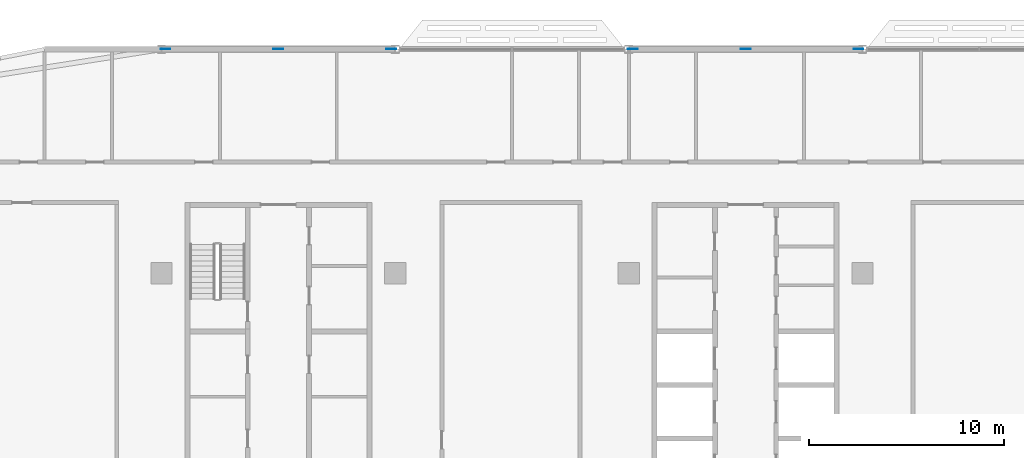
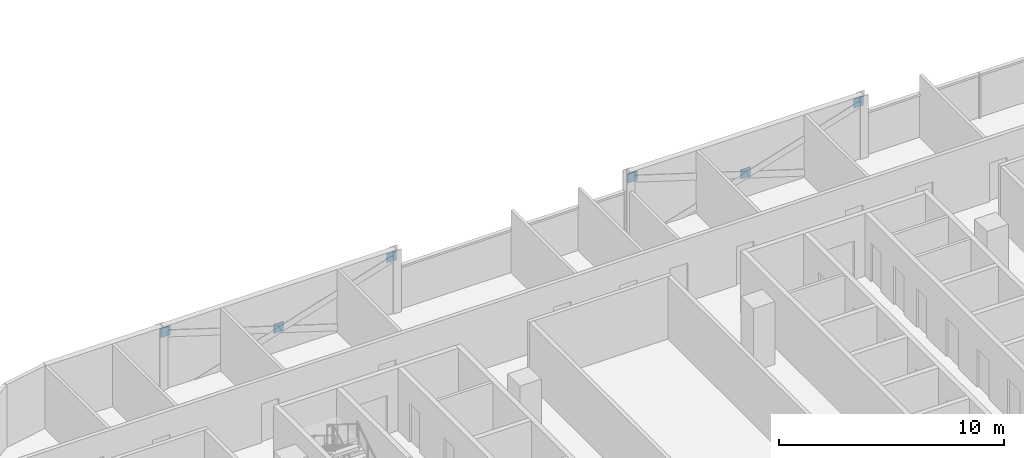
# One storey, part 22 of 30: 6 discrete accessories.
"""IFC4 building model written with IfcOpenShell, lengths in metres."""

from ifc_helpers import new_model, si_unit, direction, frame, origin, origin_2d, place, context, subcontext, project, spatial, rectangle, extrude, material, layer, layer_set, type_object, element, save


model = new_model("IFC4")

# Units and contexts
model_context = context("Model", 3, precision=1e-05, world=origin(), true_north=direction((0.0, 1.0)))
body_context = subcontext(model_context, "Body", "Model", "MODEL_VIEW")
ifc_project = project(units=[si_unit("LENGTHUNIT", "METRE"), si_unit("AREAUNIT", "SQUARE_METRE"), si_unit("VOLUMEUNIT", "CUBIC_METRE"), si_unit("PLANEANGLEUNIT", "RADIAN"), si_unit("MASSUNIT", "GRAM", prefix="KILO")], contexts=[model_context])

# Site, building, storey
site_placement = place(None, origin())
site = spatial("IfcSite", under=ifc_project, at=site_placement, CompositionType="ELEMENT")
building_placement = place(site_placement, origin())
building = spatial("IfcBuilding", under=site, at=building_placement, Name="Mahtab Terrace Research Tower", CompositionType="ELEMENT")
storey_placement = place(building_placement, frame((0.0, 0.0, 220.5)))
storey = spatial("IfcBuildingStorey", under=building, at=storey_placement, Name="L53", CompositionType="ELEMENT", Elevation=220.5)

# Discrete accessories
ifc_material = material(Name="Steel ASTM A992 Gr 50", Category="steel")
ifc_layer = layer(ifc_material, 0.030029296875)
ifc_layer_set = layer_set([ifc_layer], Name="Gusset plate 500x500x30")
discrete_accessory_type = type_object("IfcDiscreteAccessoryType", Name="Gusset plate 500x500x30", PredefinedType="USERDEFINED", material=ifc_layer_set)
for number, where, z_axis, x_axis, name in (
    (1, (-29.79931640625, 23.0, 2.748291015625), (0.0, 0.0, 1.0), (1.0, 0.0, 0.0), "Gusset plate"),
    (2, (-24.0, 23.0, 0.94091796875), (0.0, 0.0, 1.0), (1.0, 0.0, 0.0), "Gusset plate"),
    (3, (-18.20068359375, 23.0, 2.748291015625), (0.0, 0.0, 1.0), (1.0, 0.0, 0.0), "Gusset plate"),
    (4, (-5.79931640625, 23.0, 2.748291015625), (0.0, 0.0, 1.0), (1.0, 0.0, 0.0), "Gusset plate"),
    (5, (0.0, 23.0, 0.94091796875), (0.0, 0.0, 1.0), (1.0, 0.0, 0.0), "Gusset plate"),
    (6, (5.79931640625, 23.0, 2.748291015625), (0.0, 0.0, 1.0), (1.0, 0.0, 0.0), "Gusset plate"),
):
    element("IfcDiscreteAccessory", number, at=place(storey_placement, frame(where, z_axis=z_axis, x_axis=x_axis)), inside=storey, type_object=discrete_accessory_type, Name=name, ObjectType="GUSSET PLATE", PredefinedType="USERDEFINED", context=body_context, shape_type="SweptSolid", body=[
        extrude(rectangle(XDim=0.5, YDim=0.030029296875, at=origin_2d()), origin(), (0.0, 0.0, 1.0), 0.5),
    ])

save(model, "model.ifc")
